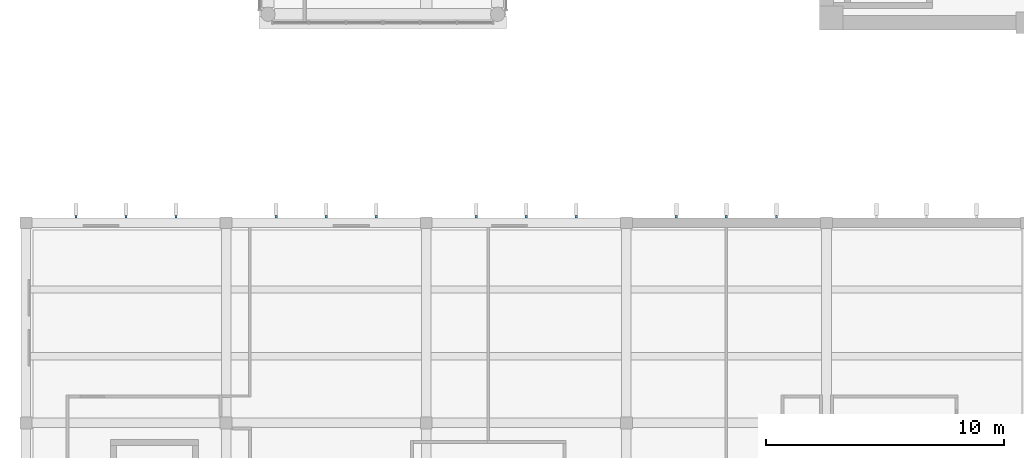
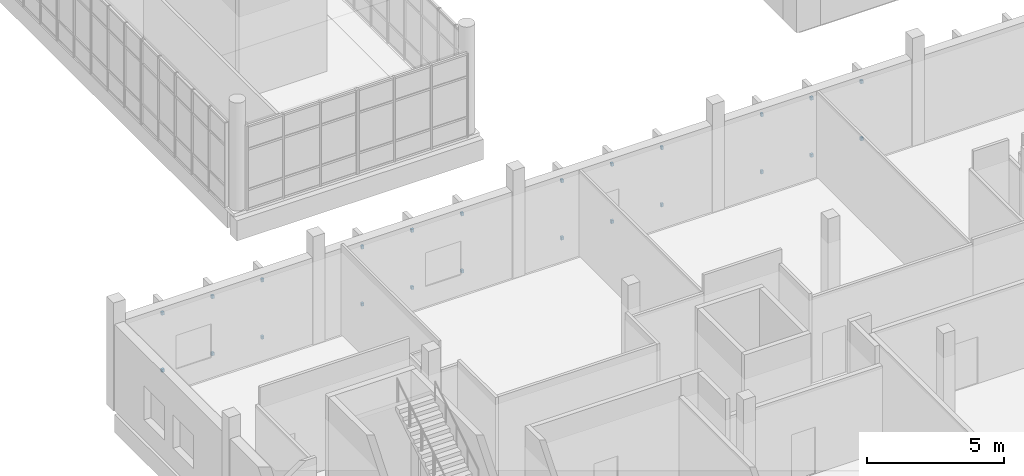
# One storey, part 77 of 119: 24 discrete accessories.
"""IFC4 building model written with IfcOpenShell, lengths in metres."""

from ifc_helpers import new_model, si_unit, direction, frame, origin, origin_2d, place, context, subcontext, project, spatial, rectangle, extrude, material, layer, layer_set, type_object, element, save


model = new_model("IFC4")

# Units and contexts
model_context = context("Model", 3, precision=1e-05, world=origin(), true_north=direction((0.0, 1.0)))
body_context = subcontext(model_context, "Body", "Model", "MODEL_VIEW")
ifc_project = project(units=[si_unit("LENGTHUNIT", "METRE"), si_unit("AREAUNIT", "SQUARE_METRE"), si_unit("VOLUMEUNIT", "CUBIC_METRE"), si_unit("PLANEANGLEUNIT", "RADIAN"), si_unit("MASSUNIT", "GRAM", prefix="KILO")], contexts=[model_context])

# Site, building, storey
site_placement = place(None, origin())
site = spatial("IfcSite", under=ifc_project, at=site_placement, CompositionType="ELEMENT")
building_placement = place(site_placement, origin())
building = spatial("IfcBuilding", under=site, at=building_placement, Name="Larchfold Concert Hall", CompositionType="ELEMENT")
storey_placement = place(building_placement, frame((0.0, 0.0, 4.800048828125)))
storey = spatial("IfcBuildingStorey", under=building, at=storey_placement, Name="L01", CompositionType="ELEMENT", Elevation=4.800048828125)

# Discrete accessories
ifc_material = material(Name="Steel S355 galvanised bracket", Category="steel")
ifc_layer = layer(ifc_material, 0.10009765625)
ifc_layer_set = layer_set([ifc_layer], Name="Steel S355 galvanised bracket")
discrete_accessory_type = type_object("IfcDiscreteAccessoryType", Name="Fin support bracket", PredefinedType="BRACKET", material=ifc_layer_set)
for number, where, z_axis, x_axis, name in (
    (1, (27.89990234375, 26.050048828125, 0.6298828125), (0.0, 0.0, 1.0), (0.0, 1.0, 0.0), "Fin bracket FN-L01-010-1"),
    (2, (27.89990234375, 26.050048828125, 3.169921875), (0.0, 0.0, 1.0), (0.0, 1.0, 0.0), "Fin bracket FN-L01-010-2"),
    (3, (30.0, 26.050048828125, 0.6298828125), (0.0, 0.0, 1.0), (0.0, 1.0, 0.0), "Fin bracket FN-L01-011-1"),
    (4, (30.0, 26.050048828125, 3.169921875), (0.0, 0.0, 1.0), (0.0, 1.0, 0.0), "Fin bracket FN-L01-011-2"),
    (5, (32.10009765625, 26.050048828125, 0.6298828125), (0.0, 0.0, 1.0), (0.0, 1.0, 0.0), "Fin bracket FN-L01-012-1"),
    (6, (32.10009765625, 26.050048828125, 3.169921875), (0.0, 0.0, 1.0), (0.0, 1.0, 0.0), "Fin bracket FN-L01-012-2"),
    (7, (19.5, 26.050048828125, 0.6298828125), (0.0, 0.0, 1.0), (0.0, 1.0, 0.0), "Fin bracket FN-L01-013-1"),
    (8, (19.5, 26.050048828125, 3.169921875), (0.0, 0.0, 1.0), (0.0, 1.0, 0.0), "Fin bracket FN-L01-013-2"),
    (9, (21.60009765625, 26.050048828125, 0.6298828125), (0.0, 0.0, 1.0), (0.0, 1.0, 0.0), "Fin bracket FN-L01-014-1"),
    (10, (21.60009765625, 26.050048828125, 3.169921875), (0.0, 0.0, 1.0), (0.0, 1.0, 0.0), "Fin bracket FN-L01-014-2"),
    (11, (23.699951171875, 26.050048828125, 0.6298828125), (0.0, 0.0, 1.0), (0.0, 1.0, 0.0), "Fin bracket FN-L01-015-1"),
    (12, (23.699951171875, 26.050048828125, 3.169921875), (0.0, 0.0, 1.0), (0.0, 1.0, 0.0), "Fin bracket FN-L01-015-2"),
    (13, (11.10009765625, 26.050048828125, 0.6298828125), (0.0, 0.0, 1.0), (0.0, 1.0, 0.0), "Fin bracket FN-L01-016-1"),
    (14, (11.10009765625, 26.050048828125, 3.169921875), (0.0, 0.0, 1.0), (0.0, 1.0, 0.0), "Fin bracket FN-L01-016-2"),
    (15, (13.199951171875, 26.050048828125, 0.6298828125), (0.0, 0.0, 1.0), (0.0, 1.0, 0.0), "Fin bracket FN-L01-017-1"),
    (16, (13.199951171875, 26.050048828125, 3.169921875), (0.0, 0.0, 1.0), (0.0, 1.0, 0.0), "Fin bracket FN-L01-017-2"),
    (17, (15.300048828125, 26.050048828125, 0.6298828125), (0.0, 0.0, 1.0), (0.0, 1.0, 0.0), "Fin bracket FN-L01-018-1"),
    (18, (15.300048828125, 26.050048828125, 3.169921875), (0.0, 0.0, 1.0), (0.0, 1.0, 0.0), "Fin bracket FN-L01-018-2"),
    (19, (2.699951171875, 26.050048828125, 0.6298828125), (0.0, 0.0, 1.0), (0.0, 1.0, 0.0), "Fin bracket FN-L01-019-1"),
    (20, (2.699951171875, 26.050048828125, 3.169921875), (0.0, 0.0, 1.0), (0.0, 1.0, 0.0), "Fin bracket FN-L01-019-2"),
    (21, (4.800048828125, 26.050048828125, 0.6298828125), (0.0, 0.0, 1.0), (0.0, 1.0, 0.0), "Fin bracket FN-L01-020-1"),
    (22, (4.800048828125, 26.050048828125, 3.169921875), (0.0, 0.0, 1.0), (0.0, 1.0, 0.0), "Fin bracket FN-L01-020-2"),
    (23, (6.89990234375, 26.050048828125, 0.6298828125), (0.0, 0.0, 1.0), (0.0, 1.0, 0.0), "Fin bracket FN-L01-021-1"),
    (24, (6.89990234375, 26.050048828125, 3.169921875), (0.0, 0.0, 1.0), (0.0, 1.0, 0.0), "Fin bracket FN-L01-021-2"),
):
    element("IfcDiscreteAccessory", number, at=place(storey_placement, frame(where, z_axis=z_axis, x_axis=x_axis)), inside=storey, type_object=discrete_accessory_type, Name=name, PredefinedType="BRACKET", context=body_context, shape_type="SweptSolid", body=[
        extrude(rectangle(XDim=0.10009765625, YDim=0.10009765625, at=origin_2d()), origin(), (0.0, 0.0, 1.0), 0.139892578125),
    ])

save(model, "model.ifc")
